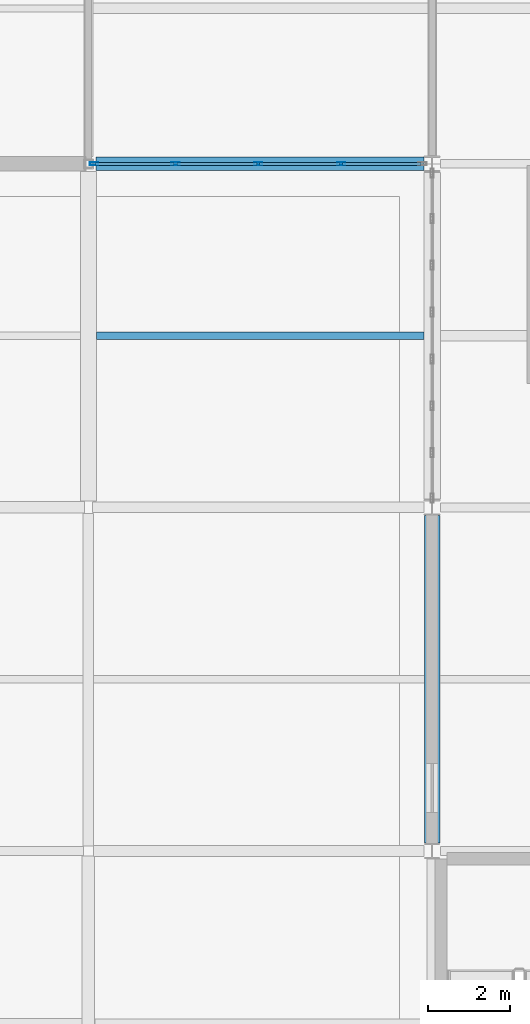
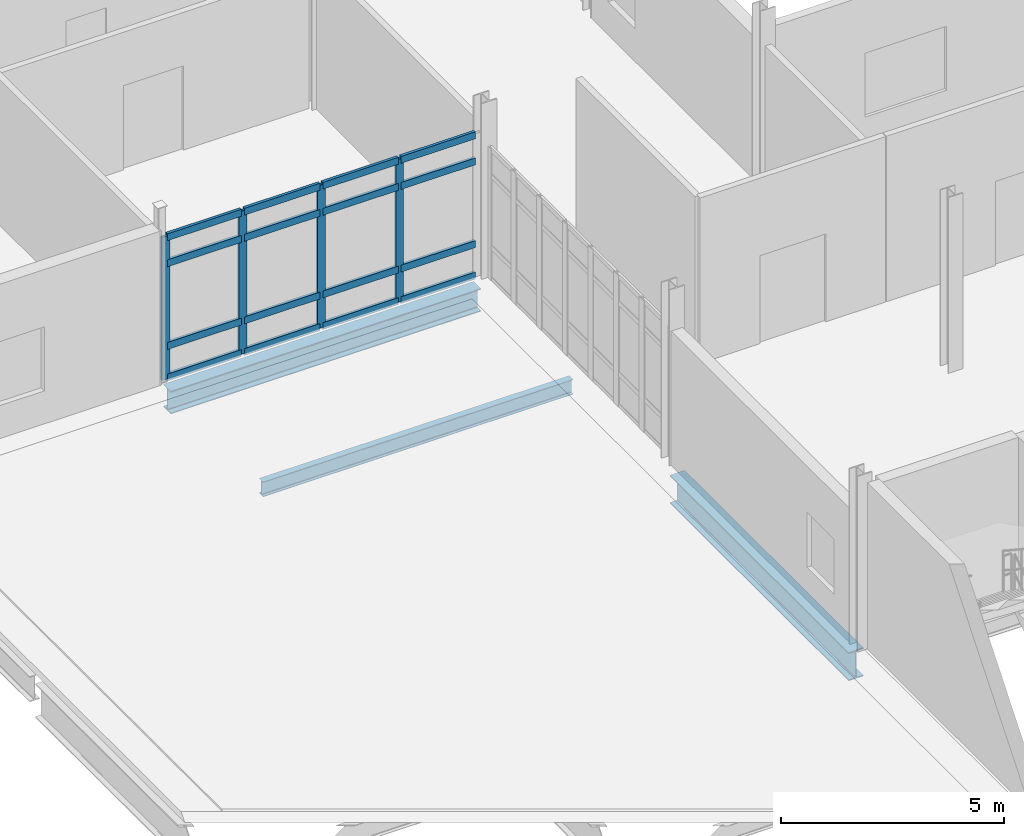
# One storey, part 68 of 186: 20 members, 3 beams, 1 element without a shape of its own.
"""IFC4 building model written with IfcOpenShell, lengths in metres."""

from ifc_helpers import new_model, si_unit, direction, frame, origin, origin_2d, place, context, subcontext, project, spatial, hollow_rectangle, i_section, extrude, material, layer, layer_set, material_profile, profile_set, type_object, element, aggregate, save


model = new_model("IFC4")

# Units and contexts
model_context = context("Model", 3, precision=1e-05, world=origin(), true_north=direction((0.0, 1.0)))
body_context = subcontext(model_context, "Body", "Model", "MODEL_VIEW")
ifc_project = project(units=[si_unit("LENGTHUNIT", "METRE"), si_unit("AREAUNIT", "SQUARE_METRE"), si_unit("VOLUMEUNIT", "CUBIC_METRE"), si_unit("PLANEANGLEUNIT", "RADIAN"), si_unit("MASSUNIT", "GRAM", prefix="KILO")], contexts=[model_context])

# Site, building, storey
site_placement = place(None, origin())
site = spatial("IfcSite", under=ifc_project, at=site_placement, CompositionType="ELEMENT")
building_placement = place(site_placement, origin())
building = spatial("IfcBuilding", under=site, at=building_placement, Name="Calvrana Isthmian Art Gallery", CompositionType="ELEMENT")
storey_placement = place(building_placement, frame((0.0, 0.0, 5.39990234375)))
storey = spatial("IfcBuildingStorey", under=building, at=storey_placement, Name="L01", CompositionType="ELEMENT", Elevation=5.39990234375)

# Beams
ifc_material_1 = material(Name="Steel ASTM A992 Gr 50", Category="steel")
ifc_material_profile_1 = material_profile(ifc_material_1, i_section(OverallWidth=0.327880859375, OverallDepth=0.6220703125, WebThickness=0.015380859375, FlangeThickness=0.0244140625, FilletRadius=0.02197265625, at=origin_2d()), Name="W24X131")
ifc_profile_set_1 = profile_set([ifc_material_profile_1], Name="Steel ASTM A992 Gr 50")
beam_type_1 = type_object("IfcBeamType", Name="BM-G-W24X131", PredefinedType="BEAM", material=ifc_profile_set_1)
beam_1_placement = place(storey_placement, frame((104.58642578125, 46.800048828125, -0.575927734375), z_axis=(1.0, 0.0, 0.0), x_axis=(0.0, 1.0, 0.0)))
element("IfcBeam", 1, at=beam_1_placement, inside=storey, type_object=beam_type_1, Name="Girder X L01 14-15/G", PredefinedType="BEAM", context=body_context, shape_type="SweptSolid", body=[
    extrude(i_section(OverallWidth=0.327880859375, OverallDepth=0.6220703125, WebThickness=0.015380859375, FlangeThickness=0.0244140625, FilletRadius=0.02197265625, at=origin_2d()), origin(), (0.0, 0.0, 1.0), 8.010498046875),
])
ifc_material_profile_2 = material_profile(ifc_material_1, i_section(OverallWidth=0.381103515625, OverallDepth=0.77197265625, WebThickness=0.0166015625, FlangeThickness=0.027099609375, FilletRadius=0.02490234375, at=origin_2d()), Name="W30X173")
ifc_profile_set_2 = profile_set([ifc_material_profile_2], Name="Steel ASTM A992 Gr 50")
beam_type_2 = type_object("IfcBeamType", Name="BM-G-W30X173", PredefinedType="BEAM", material=ifc_profile_set_2)
beam_2_placement = place(storey_placement, frame((112.800048828125, 30.199462890625, -0.630859375), z_axis=(0.0, 1.0, 0.0), x_axis=(-1.0, 0.0, 0.0)))
element("IfcBeam", 2, at=beam_2_placement, inside=storey, type_object=beam_type_2, Name="Girder Y L01 15/E-F", PredefinedType="BEAM", context=body_context, shape_type="SweptSolid", body=[
    extrude(i_section(OverallWidth=0.381103515625, OverallDepth=0.77197265625, WebThickness=0.0166015625, FlangeThickness=0.027099609375, FilletRadius=0.02490234375, at=origin_2d()), origin(), (0.0, 0.0, 1.0), 7.99755859375),
])
ifc_material_profile_3 = material_profile(ifc_material_1, i_section(OverallWidth=0.177978515625, OverallDepth=0.404052734375, WebThickness=0.007568359375, FlangeThickness=0.010986328125, FilletRadius=0.01806640625, at=origin_2d()), Name="W16X36")
ifc_profile_set_3 = profile_set([ifc_material_profile_3], Name="Steel ASTM A992 Gr 50")
beam_type_3 = type_object("IfcBeamType", Name="BM-J-W16X36", PredefinedType="JOIST", material=ifc_profile_set_3)
beam_3_placement = place(storey_placement, frame((104.590576171875, 42.60009765625, -0.447021484375), z_axis=(1.0, 0.0, 0.0), x_axis=(0.0, 1.0, 0.0)))
element("IfcBeam", 3, at=beam_3_placement, inside=storey, type_object=beam_type_3, Name="Composite joist L01 bay 13-05", PredefinedType="JOIST", context=body_context, shape_type="SweptSolid", body=[
    extrude(i_section(OverallWidth=0.177978515625, OverallDepth=0.404052734375, WebThickness=0.007568359375, FlangeThickness=0.010986328125, FilletRadius=0.01806640625, at=origin_2d()), origin(), (0.0, 0.0, 1.0), 8.009033203125),
])

# Curtain wall, members
ifc_material_2 = material(Name="Anodized bronze aluminium 6063-T6", Category="aluminium")
ifc_layer = layer(ifc_material_2, 0.179931640625, Name="Anodized bronze aluminium 6063-T6")
ifc_layer_set = layer_set([ifc_layer], Name="Anodized bronze aluminium 6063-T6")
curtain_wall_type = type_object("IfcCurtainWallType", Name="CW-UNIT-081X39", PredefinedType="USERDEFINED", material=ifc_layer_set)
curtain_wall_placement = place(storey_placement, origin())
curtain_wall = element("IfcCurtainWall", 4, at=curtain_wall_placement, inside=storey, type_object=curtain_wall_type, Name="Curtain wall CW-099", ObjectType="UNITISED CURTAIN WALL", PredefinedType="USERDEFINED")
ifc_material_profile_4 = material_profile(ifc_material_2, hollow_rectangle(XDim=0.070068359375, YDim=0.199951171875, WallThickness=0.0048828125, at=origin_2d()), Name="CWM70X200")
ifc_profile_set_4 = profile_set([ifc_material_profile_4], Name="Anodized bronze aluminium 6063-T6")
member_type_1 = type_object("IfcMemberType", Name="CWM-CWM70X200", PredefinedType="MULLION", material=ifc_profile_set_4)
member_1_placement = place(storey_placement, frame((110.576904296875, 46.800048828125, 0.0), z_axis=(0.0, 0.0, 1.0), x_axis=(0.0, -1.0, 0.0)))
member_1 = element("IfcMember", 5, at=member_1_placement, type_object=member_type_1, Name="CW-099 mullion 2", PredefinedType="MULLION", context=body_context, shape_type="SweptSolid", body=[
    extrude(hollow_rectangle(XDim=0.070068359375, YDim=0.199951171875, WallThickness=0.0048828125, at=origin_2d()), origin(), (0.0, 0.0, 1.0), 3.908203125),
])
member_2_placement = place(storey_placement, frame((108.5517578125, 46.800048828125, 0.0), z_axis=(0.0, 0.0, 1.0), x_axis=(0.0, -1.0, 0.0)))
member_2 = element("IfcMember", 6, at=member_2_placement, type_object=member_type_1, Name="CW-099 mullion 3", PredefinedType="MULLION", context=body_context, shape_type="SweptSolid", body=[
    extrude(hollow_rectangle(XDim=0.070068359375, YDim=0.199951171875, WallThickness=0.0048828125, at=origin_2d()), origin(), (0.0, 0.0, 1.0), 3.908203125),
])
member_3_placement = place(storey_placement, frame((106.526611328125, 46.800048828125, 0.0), z_axis=(0.0, 0.0, 1.0), x_axis=(0.0, -1.0, 0.0)))
member_3 = element("IfcMember", 7, at=member_3_placement, type_object=member_type_1, Name="CW-099 mullion 4", PredefinedType="MULLION", context=body_context, shape_type="SweptSolid", body=[
    extrude(hollow_rectangle(XDim=0.070068359375, YDim=0.199951171875, WallThickness=0.0048828125, at=origin_2d()), origin(), (0.0, 0.0, 1.0), 3.908203125),
])
member_4_placement = place(storey_placement, frame((104.53662109375, 46.800048828125, 0.0), z_axis=(0.0, 0.0, 1.0), x_axis=(0.0, -1.0, 0.0)))
member_4 = element("IfcMember", 8, at=member_4_placement, type_object=member_type_1, Name="CW-099 mullion 5", PredefinedType="MULLION", context=body_context, shape_type="SweptSolid", body=[
    extrude(hollow_rectangle(XDim=0.070068359375, YDim=0.199951171875, WallThickness=0.0048828125, at=origin_2d()), origin(), (0.0, 0.0, 1.0), 3.908203125),
])
ifc_material_profile_5 = material_profile(ifc_material_2, hollow_rectangle(XDim=0.074951171875, YDim=0.18994140625, WallThickness=0.00439453125, at=origin_2d()), Name="CWT75X190")
ifc_profile_set_5 = profile_set([ifc_material_profile_5], Name="Anodized bronze aluminium 6063-T6")
member_type_2 = type_object("IfcMemberType", Name="CWT-CWT75X190", PredefinedType="USERDEFINED", material=ifc_profile_set_5)
member_5_placement = place(storey_placement, frame((112.531982421875, 46.800048828125, 0.03759765625), z_axis=(-1.0, 0.0, 0.0), x_axis=(0.0, -1.0, 0.0)))
member_5 = element("IfcMember", 9, at=member_5_placement, type_object=member_type_2, Name="CW-099 transom 1.1", ObjectType="TRANSOM", PredefinedType="USERDEFINED", context=body_context, shape_type="SweptSolid", body=[
    extrude(hollow_rectangle(XDim=0.074951171875, YDim=0.18994140625, WallThickness=0.00439453125, at=origin_2d()), origin(), (0.0, 0.0, 1.0), 1.920166015625),
])
member_6_placement = place(storey_placement, frame((112.531982421875, 46.800048828125, 0.900146484375), z_axis=(-1.0, 0.0, 0.0), x_axis=(0.0, -1.0, 0.0)))
member_6 = element("IfcMember", 10, at=member_6_placement, type_object=member_type_2, Name="CW-099 transom 1.2", ObjectType="TRANSOM", PredefinedType="USERDEFINED", context=body_context, shape_type="SweptSolid", body=[
    extrude(hollow_rectangle(XDim=0.074951171875, YDim=0.18994140625, WallThickness=0.00439453125, at=origin_2d()), origin(), (0.0, 0.0, 1.0), 1.920166015625),
])
member_7_placement = place(storey_placement, frame((112.531982421875, 46.800048828125, 3.158203125), z_axis=(-1.0, 0.0, 0.0), x_axis=(0.0, -1.0, 0.0)))
member_7 = element("IfcMember", 11, at=member_7_placement, type_object=member_type_2, Name="CW-099 transom 1.3", ObjectType="TRANSOM", PredefinedType="USERDEFINED", context=body_context, shape_type="SweptSolid", body=[
    extrude(hollow_rectangle(XDim=0.074951171875, YDim=0.18994140625, WallThickness=0.00439453125, at=origin_2d()), origin(), (0.0, 0.0, 1.0), 1.920166015625),
])
member_8_placement = place(storey_placement, frame((112.531982421875, 46.800048828125, 3.87060546875), z_axis=(-1.0, 0.0, 0.0), x_axis=(0.0, -1.0, 0.0)))
member_8 = element("IfcMember", 12, at=member_8_placement, type_object=member_type_2, Name="CW-099 transom 1.4", ObjectType="TRANSOM", PredefinedType="USERDEFINED", context=body_context, shape_type="SweptSolid", body=[
    extrude(hollow_rectangle(XDim=0.074951171875, YDim=0.18994140625, WallThickness=0.00439453125, at=origin_2d()), origin(), (0.0, 0.0, 1.0), 1.920166015625),
])
member_9_placement = place(storey_placement, frame((110.5419921875, 46.800048828125, 0.03759765625), z_axis=(-1.0, 0.0, 0.0), x_axis=(0.0, -1.0, 0.0)))
member_9 = element("IfcMember", 13, at=member_9_placement, type_object=member_type_2, Name="CW-099 transom 2.1", ObjectType="TRANSOM", PredefinedType="USERDEFINED", context=body_context, shape_type="SweptSolid", body=[
    extrude(hollow_rectangle(XDim=0.074951171875, YDim=0.18994140625, WallThickness=0.00439453125, at=origin_2d()), origin(), (0.0, 0.0, 1.0), 1.955078125),
])
member_10_placement = place(storey_placement, frame((110.5419921875, 46.800048828125, 0.900146484375), z_axis=(-1.0, 0.0, 0.0), x_axis=(0.0, -1.0, 0.0)))
member_10 = element("IfcMember", 14, at=member_10_placement, type_object=member_type_2, Name="CW-099 transom 2.2", ObjectType="TRANSOM", PredefinedType="USERDEFINED", context=body_context, shape_type="SweptSolid", body=[
    extrude(hollow_rectangle(XDim=0.074951171875, YDim=0.18994140625, WallThickness=0.00439453125, at=origin_2d()), origin(), (0.0, 0.0, 1.0), 1.955078125),
])
member_11_placement = place(storey_placement, frame((110.5419921875, 46.800048828125, 3.158203125), z_axis=(-1.0, 0.0, 0.0), x_axis=(0.0, -1.0, 0.0)))
member_11 = element("IfcMember", 15, at=member_11_placement, type_object=member_type_2, Name="CW-099 transom 2.3", ObjectType="TRANSOM", PredefinedType="USERDEFINED", context=body_context, shape_type="SweptSolid", body=[
    extrude(hollow_rectangle(XDim=0.074951171875, YDim=0.18994140625, WallThickness=0.00439453125, at=origin_2d()), origin(), (0.0, 0.0, 1.0), 1.955078125),
])
member_12_placement = place(storey_placement, frame((110.5419921875, 46.800048828125, 3.87060546875), z_axis=(-1.0, 0.0, 0.0), x_axis=(0.0, -1.0, 0.0)))
member_12 = element("IfcMember", 16, at=member_12_placement, type_object=member_type_2, Name="CW-099 transom 2.4", ObjectType="TRANSOM", PredefinedType="USERDEFINED", context=body_context, shape_type="SweptSolid", body=[
    extrude(hollow_rectangle(XDim=0.074951171875, YDim=0.18994140625, WallThickness=0.00439453125, at=origin_2d()), origin(), (0.0, 0.0, 1.0), 1.955078125),
])
member_13_placement = place(storey_placement, frame((108.516845703125, 46.800048828125, 0.03759765625), z_axis=(-1.0, 0.0, 0.0), x_axis=(0.0, -1.0, 0.0)))
member_13 = element("IfcMember", 17, at=member_13_placement, type_object=member_type_2, Name="CW-099 transom 3.1", ObjectType="TRANSOM", PredefinedType="USERDEFINED", context=body_context, shape_type="SweptSolid", body=[
    extrude(hollow_rectangle(XDim=0.074951171875, YDim=0.18994140625, WallThickness=0.00439453125, at=origin_2d()), origin(), (0.0, 0.0, 1.0), 1.955078125),
])
member_14_placement = place(storey_placement, frame((108.516845703125, 46.800048828125, 0.900146484375), z_axis=(-1.0, 0.0, 0.0), x_axis=(0.0, -1.0, 0.0)))
member_14 = element("IfcMember", 18, at=member_14_placement, type_object=member_type_2, Name="CW-099 transom 3.2", ObjectType="TRANSOM", PredefinedType="USERDEFINED", context=body_context, shape_type="SweptSolid", body=[
    extrude(hollow_rectangle(XDim=0.074951171875, YDim=0.18994140625, WallThickness=0.00439453125, at=origin_2d()), origin(), (0.0, 0.0, 1.0), 1.955078125),
])
member_15_placement = place(storey_placement, frame((108.516845703125, 46.800048828125, 3.158203125), z_axis=(-1.0, 0.0, 0.0), x_axis=(0.0, -1.0, 0.0)))
member_15 = element("IfcMember", 19, at=member_15_placement, type_object=member_type_2, Name="CW-099 transom 3.3", ObjectType="TRANSOM", PredefinedType="USERDEFINED", context=body_context, shape_type="SweptSolid", body=[
    extrude(hollow_rectangle(XDim=0.074951171875, YDim=0.18994140625, WallThickness=0.00439453125, at=origin_2d()), origin(), (0.0, 0.0, 1.0), 1.955078125),
])
member_16_placement = place(storey_placement, frame((108.516845703125, 46.800048828125, 3.87060546875), z_axis=(-1.0, 0.0, 0.0), x_axis=(0.0, -1.0, 0.0)))
member_16 = element("IfcMember", 20, at=member_16_placement, type_object=member_type_2, Name="CW-099 transom 3.4", ObjectType="TRANSOM", PredefinedType="USERDEFINED", context=body_context, shape_type="SweptSolid", body=[
    extrude(hollow_rectangle(XDim=0.074951171875, YDim=0.18994140625, WallThickness=0.00439453125, at=origin_2d()), origin(), (0.0, 0.0, 1.0), 1.955078125),
])
member_17_placement = place(storey_placement, frame((106.49169921875, 46.800048828125, 0.03759765625), z_axis=(-1.0, 0.0, 0.0), x_axis=(0.0, -1.0, 0.0)))
member_17 = element("IfcMember", 21, at=member_17_placement, type_object=member_type_2, Name="CW-099 transom 4.1", ObjectType="TRANSOM", PredefinedType="USERDEFINED", context=body_context, shape_type="SweptSolid", body=[
    extrude(hollow_rectangle(XDim=0.074951171875, YDim=0.18994140625, WallThickness=0.00439453125, at=origin_2d()), origin(), (0.0, 0.0, 1.0), 1.920166015625),
])
member_18_placement = place(storey_placement, frame((106.49169921875, 46.800048828125, 0.900146484375), z_axis=(-1.0, 0.0, 0.0), x_axis=(0.0, -1.0, 0.0)))
member_18 = element("IfcMember", 22, at=member_18_placement, type_object=member_type_2, Name="CW-099 transom 4.2", ObjectType="TRANSOM", PredefinedType="USERDEFINED", context=body_context, shape_type="SweptSolid", body=[
    extrude(hollow_rectangle(XDim=0.074951171875, YDim=0.18994140625, WallThickness=0.00439453125, at=origin_2d()), origin(), (0.0, 0.0, 1.0), 1.920166015625),
])
member_19_placement = place(storey_placement, frame((106.49169921875, 46.800048828125, 3.158203125), z_axis=(-1.0, 0.0, 0.0), x_axis=(0.0, -1.0, 0.0)))
member_19 = element("IfcMember", 23, at=member_19_placement, type_object=member_type_2, Name="CW-099 transom 4.3", ObjectType="TRANSOM", PredefinedType="USERDEFINED", context=body_context, shape_type="SweptSolid", body=[
    extrude(hollow_rectangle(XDim=0.074951171875, YDim=0.18994140625, WallThickness=0.00439453125, at=origin_2d()), origin(), (0.0, 0.0, 1.0), 1.920166015625),
])
member_20_placement = place(storey_placement, frame((106.49169921875, 46.800048828125, 3.87060546875), z_axis=(-1.0, 0.0, 0.0), x_axis=(0.0, -1.0, 0.0)))
member_20 = element("IfcMember", 24, at=member_20_placement, type_object=member_type_2, Name="CW-099 transom 4.4", ObjectType="TRANSOM", PredefinedType="USERDEFINED", context=body_context, shape_type="SweptSolid", body=[
    extrude(hollow_rectangle(XDim=0.074951171875, YDim=0.18994140625, WallThickness=0.00439453125, at=origin_2d()), origin(), (0.0, 0.0, 1.0), 1.920166015625),
])
aggregate(curtain_wall, [member_1, member_2, member_3, member_4, member_5, member_6, member_7, member_8, member_9, member_10, member_11, member_12, member_13, member_14, member_15, member_16, member_17, member_18, member_19, member_20])

save(model, "model.ifc")
